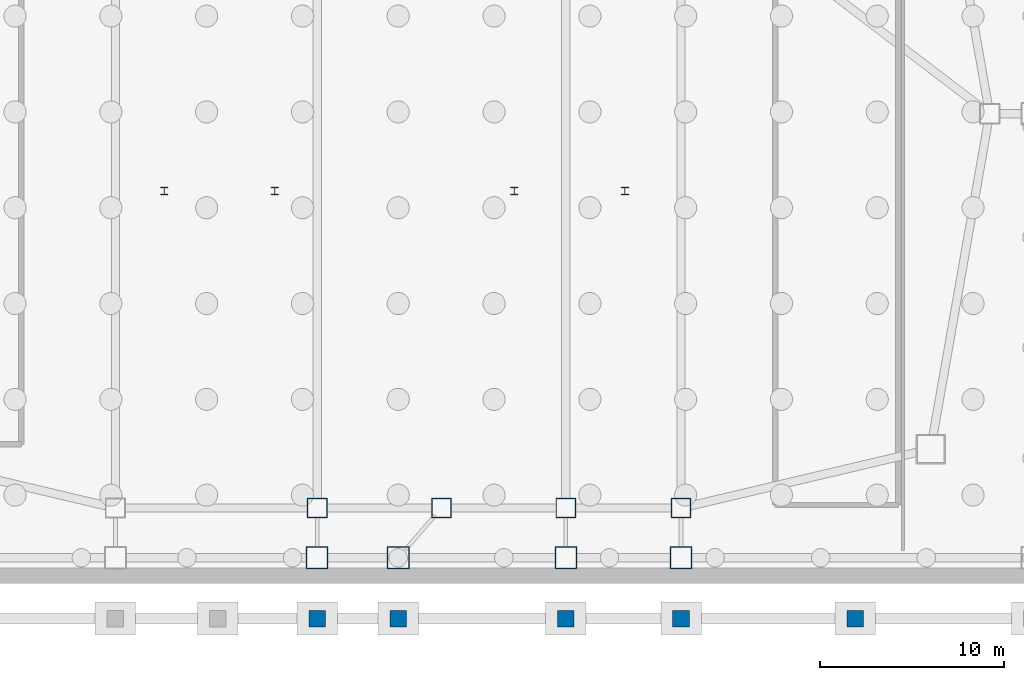
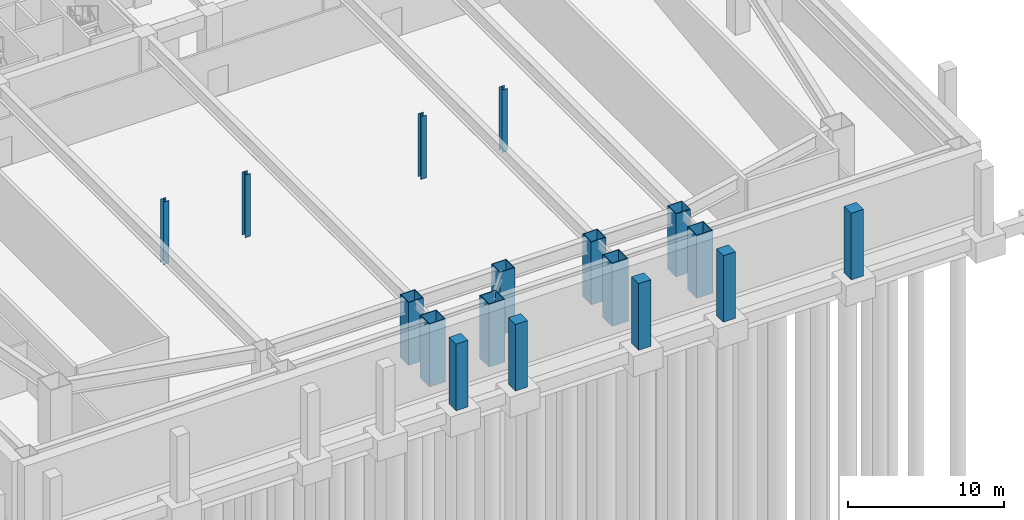
# One storey, part 3 of 10: 17 columns.
"""IFC4 building model written with IfcOpenShell, lengths in metres."""

from ifc_helpers import new_model, si_unit, direction, frame, origin, origin_2d, place, context, subcontext, project, spatial, rectangle, hollow_rectangle, i_section, extrude, source, transform, mapped, material, material_profile, profile_set, type_object, element, save


model = new_model("IFC4")

# Units and contexts
model_context = context("Model", 3, precision=1e-05, world=origin(), true_north=direction((0.0, 1.0)))
body_context = subcontext(model_context, "Body", "Model", "MODEL_VIEW")
ifc_project = project(units=[si_unit("LENGTHUNIT", "METRE"), si_unit("AREAUNIT", "SQUARE_METRE"), si_unit("VOLUMEUNIT", "CUBIC_METRE"), si_unit("PLANEANGLEUNIT", "RADIAN"), si_unit("MASSUNIT", "GRAM", prefix="KILO")], contexts=[model_context])

# Site, building, storey
site_placement = place(None, origin())
site = spatial("IfcSite", under=ifc_project, at=site_placement, CompositionType="ELEMENT")
building_placement = place(site_placement, origin())
building = spatial("IfcBuilding", under=site, at=building_placement, Name="Giltprow Tower", CompositionType="ELEMENT")
storey_placement = place(building_placement, frame((0.0, 0.0, -10.39990234375)))
storey = spatial("IfcBuildingStorey", under=building, at=storey_placement, Name="B02", CompositionType="ELEMENT", Elevation=-10.39990234375)

# Columns
ifc_material_1 = material(Name="Concrete C45", Category="concrete")
ifc_material_profile_1 = material_profile(ifc_material_1, rectangle(XDim=0.89990234375, YDim=0.89990234375, at=origin_2d()), Name="RC 900x900")
ifc_profile_set_1 = profile_set([ifc_material_profile_1], Name="Concrete C45")
column_type_1 = type_object("IfcColumnType", Name="PIL-PIER-RC800", PredefinedType="PILASTER", material=ifc_profile_set_1)
shared_shape_1 = source(origin(), body_context, "Body", "SweptSolid", [
    extrude(rectangle(XDim=0.89990234375, YDim=0.89990234375, at=origin_2d()), origin(), (0.0, 0.0, 1.0), 5.199951171875),
])
for number, where, z_axis, x_axis, name in (
    (1, (30.800048828125, -2.699951171875, 0.0), (0.0, 0.0, 1.0), (1.0, 0.0, 0.0), "Promenade Grade Pier B02-06"),
    (2, (35.199951171875, -2.699951171875, 0.0), (0.0, 0.0, 1.0), (1.0, 0.0, 0.0), "Promenade Grade Pier B02-07"),
    (3, (44.300048828125, -2.699951171875, 0.0), (0.0, 0.0, 1.0), (1.0, 0.0, 0.0), "Promenade Grade Pier B02-08"),
    (4, (50.550048828125, -2.699951171875, 0.0), (0.0, 0.0, 1.0), (1.0, 0.0, 0.0), "Promenade Grade Pier B02-09"),
    (5, (60.0, -2.699951171875, 0.0), (0.0, 0.0, 1.0), (1.0, 0.0, 0.0), "Promenade Grade Pier B02-10"),
):
    element("IfcColumn", number, at=place(storey_placement, frame(where, z_axis=z_axis, x_axis=x_axis)), inside=storey, type_object=column_type_1, Name=name, PredefinedType="PILASTER", context=body_context, shape_type="MappedRepresentation", body=[
        mapped(shared_shape_1, transform((0.0, 0.0, 0.0), x_axis=(1.0, 0.0, 0.0), y_axis=(0.0, 1.0, 0.0), z_axis=(0.0, 0.0, 1.0), scale=1.0)),
    ])
ifc_material_2 = material(Name="Structural steel Q420GJC", Category="steel")
ifc_material_profile_2 = material_profile(ifc_material_2, hollow_rectangle(XDim=1.10009765625, YDim=1.10009765625, WallThickness=0.050048828125, at=origin_2d()), Name="BOX 1100x1100x50")
ifc_profile_set_2 = profile_set([ifc_material_profile_2], Name="Structural steel Q420GJC")
column_type_2 = type_object("IfcColumnType", Name="COL-BOX-1100x1100x50", PredefinedType="COLUMN", material=ifc_profile_set_2)
shared_shape_2 = source(origin(), body_context, "Body", "SweptSolid", [
    extrude(hollow_rectangle(XDim=1.10009765625, YDim=1.10009765625, WallThickness=0.050048828125, at=origin_2d()), origin(), (0.0, 0.0, 1.0), 4.89990234375),
])
for number, where, z_axis, x_axis, name in (
    (6, (30.800048828125, 3.300048828125, 0.0), (0.0, 0.0, 1.0), (1.0, 0.0, 0.0), "B02 Continuous Tower Column S2"),
    (7, (37.550048828125, 3.300048828125, 0.0), (0.0, 0.0, 1.0), (1.0, 0.0, 0.0), "B02 Continuous Tower Column S_MID"),
    (8, (44.300048828125, 3.300048828125, 0.0), (0.0, 0.0, 1.0), (1.0, 0.0, 0.0), "B02 Continuous Tower Column S3"),
    (9, (50.550048828125, 3.300048828125, 0.0), (0.0, 0.0, 1.0), (1.0, 0.0, 0.0), "B02 Continuous Tower Column S4"),
):
    element("IfcColumn", number, at=place(storey_placement, frame(where, z_axis=z_axis, x_axis=x_axis)), inside=storey, type_object=column_type_2, Name=name, PredefinedType="COLUMN", context=body_context, shape_type="MappedRepresentation", body=[
        mapped(shared_shape_2, transform((0.0, 0.0, 0.0), x_axis=(1.0, 0.0, 0.0), y_axis=(0.0, 1.0, 0.0), z_axis=(0.0, 0.0, 1.0), scale=1.0)),
    ])
ifc_material_profile_3 = material_profile(ifc_material_2, hollow_rectangle(XDim=1.199951171875, YDim=1.199951171875, WallThickness=0.054931640625, at=origin_2d()), Name="BOX 1200x1200x55")
ifc_profile_set_3 = profile_set([ifc_material_profile_3], Name="Structural steel Q420GJC")
column_type_3 = type_object("IfcColumnType", Name="COL-BOX-1200x1200x55", PredefinedType="COLUMN", material=ifc_profile_set_3)
shared_shape_3 = source(origin(), body_context, "Body", "SweptSolid", [
    extrude(hollow_rectangle(XDim=1.199951171875, YDim=1.199951171875, WallThickness=0.054931640625, at=origin_2d()), origin(), (0.0, 0.0, 1.0), 4.89990234375),
])
for number, where, z_axis, x_axis, name in (
    (10, (30.800048828125, 0.60009765625, 0.0), (0.0, 0.0, 1.0), (1.0, 0.0, 0.0), "B02 Podium Column (30.8,0.6)"),
    (11, (35.199951171875, 0.60009765625, 0.0), (0.0, 0.0, 1.0), (1.0, 0.0, 0.0), "B02 Podium Column (35.2,0.6)"),
    (12, (44.300048828125, 0.60009765625, 0.0), (0.0, 0.0, 1.0), (1.0, 0.0, 0.0), "B02 Podium Column (44.3,0.6)"),
    (13, (50.550048828125, 0.60009765625, 0.0), (0.0, 0.0, 1.0), (1.0, 0.0, 0.0), "B02 Podium Column (50.5,0.6)"),
):
    element("IfcColumn", number, at=place(storey_placement, frame(where, z_axis=z_axis, x_axis=x_axis)), inside=storey, type_object=column_type_3, Name=name, PredefinedType="COLUMN", context=body_context, shape_type="MappedRepresentation", body=[
        mapped(shared_shape_3, transform((0.0, 0.0, 0.0), x_axis=(1.0, 0.0, 0.0), y_axis=(0.0, 1.0, 0.0), z_axis=(0.0, 0.0, 1.0), scale=1.0)),
    ])
ifc_material_3 = material(Name="Structural steel Q355B", Category="steel")
ifc_material_profile_4 = material_profile(ifc_material_3, i_section(OverallWidth=0.39990234375, OverallDepth=0.39990234375, WebThickness=0.012939453125, FlangeThickness=0.02099609375, at=origin_2d()), Name="HW 400x400x13x21")
ifc_profile_set_4 = profile_set([ifc_material_profile_4], Name="Structural steel Q355B")
column_type_4 = type_object("IfcColumnType", Name="COL-HW-400x400x13x21", PredefinedType="COLUMN", material=ifc_profile_set_4)
shared_shape_4 = source(origin(), body_context, "Body", "SweptSolid", [
    extrude(i_section(OverallWidth=0.39990234375, OverallDepth=0.39990234375, WebThickness=0.012939453125, FlangeThickness=0.02099609375, at=origin_2d()), origin(), (0.0, 0.0, 1.0), 4.89990234375),
])
for number, where, z_axis, x_axis, name in (
    (14, (22.5, 20.5, 0.0), (0.0, 0.0, 1.0), (1.0, 0.0, 0.0), "B02 Equipment Mezzanine Stanchion 1"),
    (15, (28.5, 20.5, 0.0), (0.0, 0.0, 1.0), (1.0, 0.0, 0.0), "B02 Equipment Mezzanine Stanchion 2"),
    (16, (41.5, 20.5, 0.0), (0.0, 0.0, 1.0), (1.0, 0.0, 0.0), "B02 Equipment Mezzanine Stanchion 3"),
    (17, (47.5, 20.5, 0.0), (0.0, 0.0, 1.0), (1.0, 0.0, 0.0), "B02 Equipment Mezzanine Stanchion 4"),
):
    element("IfcColumn", number, at=place(storey_placement, frame(where, z_axis=z_axis, x_axis=x_axis)), inside=storey, type_object=column_type_4, Name=name, PredefinedType="COLUMN", context=body_context, shape_type="MappedRepresentation", body=[
        mapped(shared_shape_4, transform((0.0, 0.0, 0.0), x_axis=(1.0, 0.0, 0.0), y_axis=(0.0, 1.0, 0.0), z_axis=(0.0, 0.0, 1.0), scale=1.0)),
    ])

save(model, "model.ifc")
